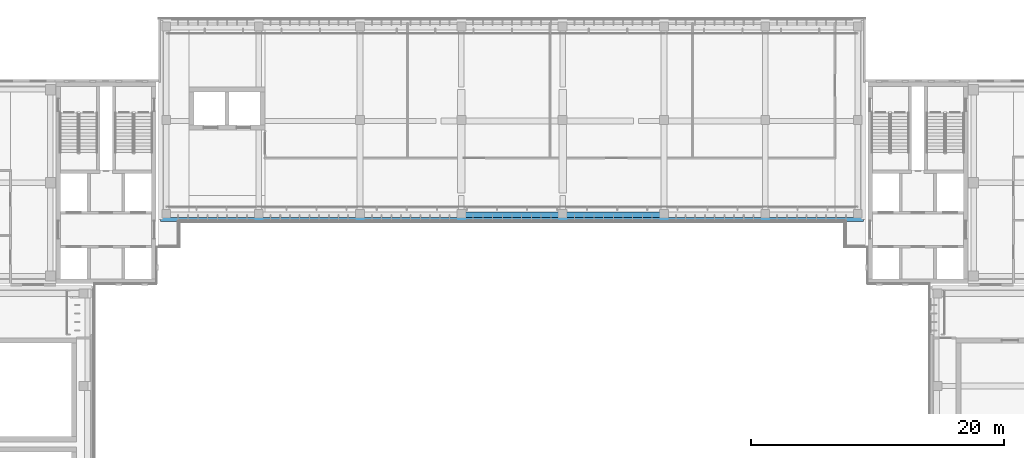
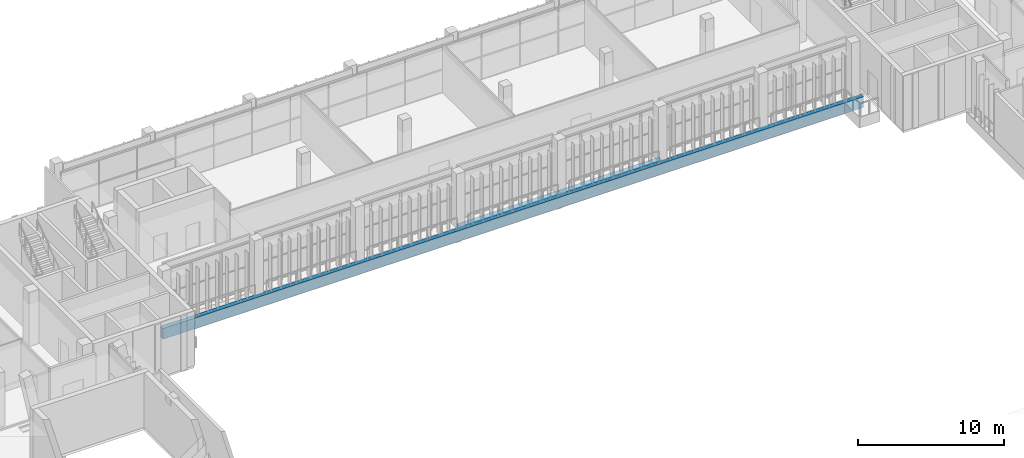
# One storey, part 22 of 73: 3 beams.
"""IFC4 building model written with IfcOpenShell, lengths in metres."""

from ifc_helpers import new_model, si_unit, direction, frame, origin, origin_2d, place, context, subcontext, project, spatial, rectangle, extrude, material, material_profile, profile_set, type_object, element, save


model = new_model("IFC4")

# Units and contexts
model_context = context("Model", 3, precision=1e-05, world=origin(), true_north=direction((0.0, 1.0)))
body_context = subcontext(model_context, "Body", "Model", "MODEL_VIEW")
ifc_project = project(units=[si_unit("LENGTHUNIT", "METRE"), si_unit("AREAUNIT", "SQUARE_METRE"), si_unit("VOLUMEUNIT", "CUBIC_METRE"), si_unit("PLANEANGLEUNIT", "RADIAN"), si_unit("MASSUNIT", "GRAM", prefix="KILO")], contexts=[model_context])

# Site, building, storey
site_placement = place(None, origin())
site = spatial("IfcSite", under=ifc_project, at=site_placement, CompositionType="ELEMENT")
building_placement = place(site_placement, origin())
building = spatial("IfcBuilding", under=site, at=building_placement, Name="Lantern Court Media Centre", CompositionType="ELEMENT")
storey_placement = place(building_placement, frame((0.0, 0.0, 24.0)))
storey = spatial("IfcBuildingStorey", under=building, at=storey_placement, Name="L05", CompositionType="ELEMENT", Elevation=24.0)

# Beams
ifc_material = material(Name="Concrete C35", Category="concrete")
ifc_material_profile_1 = material_profile(ifc_material, rectangle(XDim=0.35009765625, YDim=0.89990234375, at=origin_2d()), Name="RC 350x900")
ifc_profile_set_1 = profile_set([ifc_material_profile_1], Name="Concrete C35")
beam_type_1 = type_object("IfcBeamType", Name="RC BEAM 350x900", PredefinedType="BEAM", material=ifc_profile_set_1)
beam_placement = place(storey_placement, frame((24.25, 101.14990234375, -0.449951171875), z_axis=(1.0, 0.0, 0.0), x_axis=(0.0, 1.0, 0.0)))
element("IfcBeam", 1, at=beam_placement, inside=storey, type_object=beam_type_1, Name="EB-N-L05-A", PredefinedType="BEAM", context=body_context, shape_type="SweptSolid", body=[
    extrude(rectangle(XDim=0.35009765625, YDim=0.89990234375, at=origin_2d()), origin(), (0.0, 0.0, 1.0), 55.5),
])
ifc_material_profile_2 = material_profile(ifc_material, rectangle(XDim=0.449951171875, YDim=0.699951171875, at=origin_2d()), Name="RC 450x700")
ifc_profile_set_2 = profile_set([ifc_material_profile_2], Name="Concrete C35")
beam_type_2 = type_object("IfcBeamType", Name="RC BEAM 450x700", PredefinedType="BEAM", material=ifc_profile_set_2)
for number, where, z_axis, x_axis, name in (
    (2, (48.0, 101.527099609375, -0.35009765625), (1.0, 0.0, 0.0), (0.0, 1.0, 0.0), "LB-N-L05-0-3"),
    (3, (56.0, 101.527099609375, -0.35009765625), (1.0, 0.0, 0.0), (0.0, 1.0, 0.0), "LB-N-L05-0-4"),
):
    element("IfcBeam", number, at=place(storey_placement, frame(where, z_axis=z_axis, x_axis=x_axis)), inside=storey, type_object=beam_type_2, Name=name, PredefinedType="BEAM", context=body_context, shape_type="SweptSolid", body=[
        extrude(rectangle(XDim=0.449951171875, YDim=0.699951171875, at=origin_2d()), origin(), (0.0, 0.0, 1.0), 8.0),
    ])

save(model, "model.ifc")
